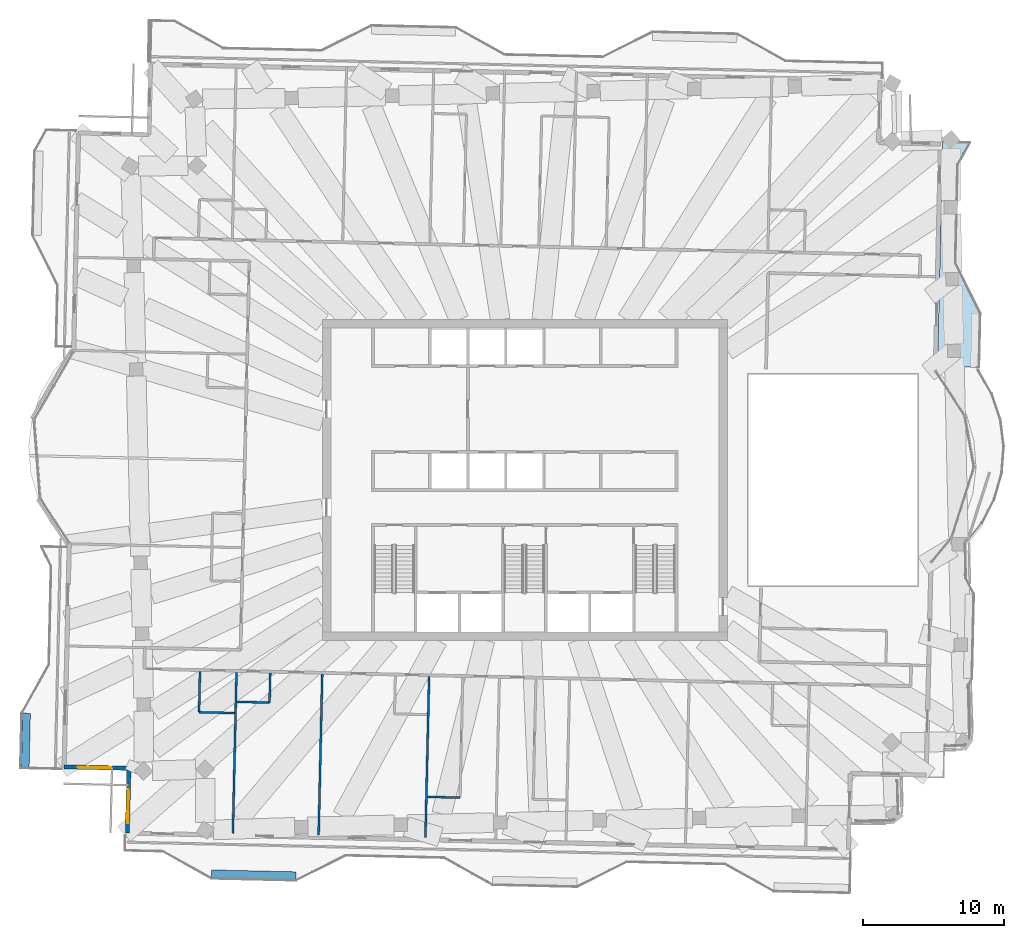
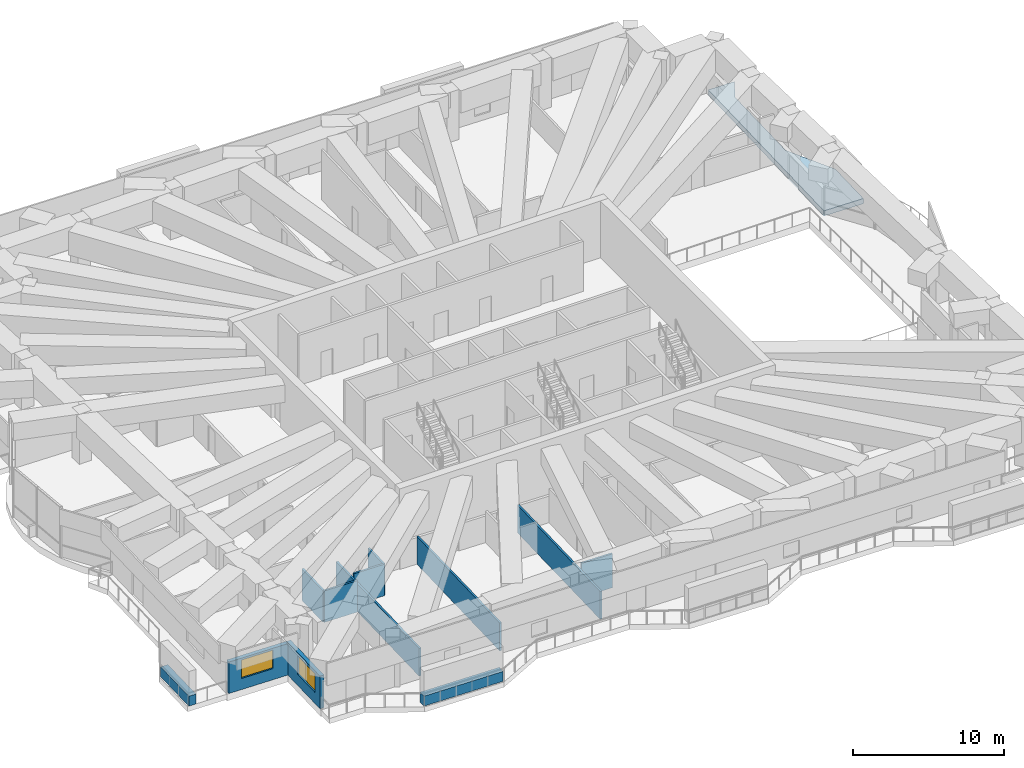
# One storey, part 8 of 20: 12 walls, 2 windows, 1 slab, 2 openings.
"""IFC4 building model written with IfcOpenShell, lengths in metres."""

from ifc_helpers import new_model, si_unit, direction, frame, frame_2d, origin, place, context, subcontext, project, spatial, polyline, rectangle, outline, extrude, material, layer, layer_set, type_object, element, fill, save


model = new_model("IFC4")

# Units and contexts
model_context = context("Model", 3, precision=1e-05, world=origin(), true_north=direction((0.0, 1.0)))
body_context = subcontext(model_context, "Body", "Model", "MODEL_VIEW")
ifc_project = project(units=[si_unit("LENGTHUNIT", "METRE"), si_unit("AREAUNIT", "SQUARE_METRE"), si_unit("VOLUMEUNIT", "CUBIC_METRE"), si_unit("PLANEANGLEUNIT", "RADIAN"), si_unit("MASSUNIT", "GRAM", prefix="KILO")], contexts=[model_context])

# Site, building, storey
site_placement = place(None, origin())
site = spatial("IfcSite", under=ifc_project, at=site_placement, CompositionType="ELEMENT")
building_placement = place(site_placement, origin())
building = spatial("IfcBuilding", under=site, at=building_placement, Name="Mangrove Gate Tower", CompositionType="ELEMENT")
storey_placement = place(building_placement, frame((0.0, 0.0, 301.5)))
storey = spatial("IfcBuildingStorey", under=building, at=storey_placement, Name="L77", CompositionType="ELEMENT", Elevation=301.5)

# Slab
ifc_material_1 = material(Name="Porcelain tile")
ifc_layer_1 = layer(ifc_material_1, 0.02001953125, Name="Tile finish")
ifc_material_2 = material(Name="Cement sand screed")
ifc_layer_2 = layer(ifc_material_2, 0.0400390625, Name="Screed laid to falls")
ifc_material_3 = material(Name="Bituminous waterproofing membrane")
ifc_layer_3 = layer(ifc_material_3, 0.00390625, Name="Waterproofing")
ifc_material_4 = material(Name="Concrete C40/50", Category="concrete")
ifc_layer_4 = layer(ifc_material_4, 0.340087890625, Name="Balcony structural slab")
ifc_material_5 = material(Name="Limestone", Category="masonry")
ifc_layer_5 = layer(ifc_material_5, 0.01611328125, Name="Soffit lining")
ifc_layer_set_1 = layer_set([ifc_layer_1, ifc_layer_2, ifc_layer_3, ifc_layer_4, ifc_layer_5], Name="Balcony slab 420 C40/50")
slab_type = type_object("IfcSlabType", Name="Balcony slab 420 C40/50", PredefinedType="FLOOR", material=ifc_layer_set_1)
slab_placement = place(storey_placement, frame((0.0, 0.0, -0.419921875)))
element("IfcSlab", 1, at=slab_placement, inside=storey, type_object=slab_type, Name="BALCONY L77 E1", PredefinedType="FLOOR", context=body_context, shape_type="SweptSolid", body=[
    extrude(outline(polyline([(32.343017578125, 8.007080078125), (32.430908203125, 11.881103515625), (30.660888671875, 15.422119140625), (30.820068359375, 22.419921875), (31.700927734375, 24.0), (29.716064453125, 24.044921875), (29.679931640625, 22.446044921875), (29.52099609375, 15.447021484375), (29.44189453125, 11.947998046875), (29.35400390625, 8.074951171875), (32.343017578125, 8.007080078125)])), origin(), (0.0, 0.0, 1.0), 0.419921875),
])

# Wall, opening, window
ifc_layer_6 = layer(ifc_material_5, 0.0400390625, Name="Limestone cladding")
ifc_material_6 = material(Name="Ventilated air gap")
ifc_layer_7 = layer(ifc_material_6, 0.0400390625, Name="Ventilated cavity")
ifc_material_7 = material(Name="Mineral wool insulation")
ifc_layer_8 = layer(ifc_material_7, 0.06005859375, Name="Insulation")
ifc_material_8 = material(Name="Breather membrane")
ifc_layer_9 = layer(ifc_material_8, 0.001953125, Name="Breather membrane")
ifc_material_9 = material(Name="Concrete C20/25 blockwork", Category="masonry")
ifc_layer_10 = layer(ifc_material_9, 0.14990234375, Name="Blockwork backing wall")
ifc_material_10 = material(Name="Gypsum plaster")
ifc_layer_11 = layer(ifc_material_10, 0.008056640625, Name="Internal plaster")
ifc_layer_set_2 = layer_set([ifc_layer_6, ifc_layer_7, ifc_layer_8, ifc_layer_9, ifc_layer_10, ifc_layer_11], Name="External wall 300 limestone cladding")
wall_type_1 = type_object("IfcWallType", Name="External wall 300 limestone cladding", PredefinedType="SOLIDWALL", material=ifc_layer_set_2)
wall_1_placement = place(storey_placement, frame((-32.758056640625, -20.39892578125, 0.0), z_axis=(0.0, 0.0, 1.0), x_axis=(0.999744404568, -0.02260808559, 0.0)))
wall_1 = element("IfcWall", 2, at=wall_1_placement, inside=storey, type_object=wall_type_1, Name="WALL-L77-S11", PredefinedType="SOLIDWALL", context=body_context, shape_type="SweptSolid", body=[
    extrude(rectangle(XDim=4.600341796875, YDim=0.300048828125, at=frame_2d((2.30029296875, 0.0))), origin(), (0.0, 0.0, 1.0), 2.550048828125),
])
opening_1_placement = place(wall_1_placement, frame((0.949951171875, 0.0, 0.89990234375)))
opening_1 = element("IfcOpeningElement", 3, at=opening_1_placement, cuts=wall_1, Name="Opening W2", PredefinedType="OPENING", context=body_context, shape_type="SweptSolid", body=[
    extrude(rectangle(XDim=2.39990234375, YDim=1.5, at=frame_2d((1.199951171875, 0.75))), frame((0.0, 0.159912109375, 0.0), z_axis=(0.0, -1.0, 0.0), x_axis=(1.0, 0.0, 0.0)), (0.0, 0.0, 1.0), 0.320068359375),
])
ifc_material_11 = material(Name="Aluminium frame with double-glazed low-e glass", Category="aluminium")
window_type = type_object("IfcWindowType", Name="Corner room window 2400x1500", PartitioningType="DOUBLE_PANEL_VERTICAL", PredefinedType="WINDOW", material=ifc_material_11)
window_1_placement = place(opening_1_placement, origin())
window_1 = element("IfcWindow", 4, at=window_1_placement, inside=storey, type_object=window_type, Name="WIN-L77-S11-1", OverallHeight=1.5, OverallWidth=2.39990234375, PartitioningType="DOUBLE_PANEL_VERTICAL", PredefinedType="WINDOW", context=body_context, shape_type="SweptSolid", body=[
    extrude(rectangle(XDim=2.39990234375, YDim=1.5, at=frame_2d((1.199951171875, 0.75))), frame((0.0, 0.030029296875, 0.0), z_axis=(0.0, -1.0, 0.0), x_axis=(1.0, 0.0, 0.0)), (0.0, 0.0, 1.0), 0.06005859375),
])
fill(opening_1, window_1)

wall_2_placement = place(storey_placement, frame((-28.158935546875, -20.5029296875, 0.0), z_axis=(0.0, 0.0, 1.0), x_axis=(-0.022820258049, -0.999739584003, 0.0)))
wall_2 = element("IfcWall", 5, at=wall_2_placement, inside=storey, type_object=wall_type_1, Name="WALL-L77-W12", PredefinedType="SOLIDWALL", context=body_context, shape_type="SweptSolid", body=[
    extrude(rectangle(XDim=4.600341796875, YDim=0.300048828125, at=frame_2d((2.30029296875, 0.0))), origin(), (0.0, 0.0, 1.0), 2.64990234375),
])
opening_2_placement = place(wall_2_placement, frame((1.4951171875, 0.0, 0.89990234375)))
opening_2 = element("IfcOpeningElement", 6, at=opening_2_placement, cuts=wall_2, Name="Opening W2", PredefinedType="OPENING", context=body_context, shape_type="SweptSolid", body=[
    extrude(rectangle(XDim=2.39990234375, YDim=1.5, at=frame_2d((1.199951171875, 0.75))), frame((0.0, 0.159912109375, 0.0), z_axis=(0.0, -1.0, 0.0), x_axis=(1.0, 0.0, 0.0)), (0.0, 0.0, 1.0), 0.320068359375),
])
window_2_placement = place(opening_2_placement, origin())
window_2 = element("IfcWindow", 7, at=window_2_placement, inside=storey, type_object=window_type, Name="WIN-L77-W12-1", OverallHeight=1.5, OverallWidth=2.39990234375, PartitioningType="DOUBLE_PANEL_VERTICAL", PredefinedType="WINDOW", context=body_context, shape_type="SweptSolid", body=[
    extrude(rectangle(XDim=2.39990234375, YDim=1.5, at=frame_2d((1.199951171875, 0.75))), frame((0.0, 0.030029296875, 0.0), z_axis=(0.0, -1.0, 0.0), x_axis=(1.0, 0.0, 0.0)), (0.0, 0.0, 1.0), 0.06005859375),
])
fill(opening_2, window_2)

# Walls
ifc_material_12 = material(Name="Gypsum board on steel stud, EI 60", Category="steel")
ifc_layer_12 = layer(ifc_material_12, 0.14990234375)
ifc_layer_set_3 = layer_set([ifc_layer_12], Name="Party wall 150 EI 60")
wall_type_2 = type_object("IfcWallType", Name="Party wall 150 EI 60", PredefinedType="PARTITIONING", material=ifc_layer_set_3)
wall_3_placement = place(storey_placement, frame((-20.761962890625, -25.1220703125, 0.0), z_axis=(0.0, 0.0, 1.0), x_axis=(0.022623082162, 0.999744065325, 0.0)))
element("IfcWall", 8, at=wall_3_placement, inside=storey, type_object=wall_type_2, Name="WALL-L77-001", PredefinedType="PARTITIONING", context=body_context, shape_type="SweptSolid", body=[
    extrude(rectangle(XDim=11.449951171875, YDim=0.14990234375, at=frame_2d((5.72509765625, 0.0))), origin(), (0.0, 0.0, 1.0), 2.25),
])
wall_4_placement = place(storey_placement, frame((-14.6640625, -25.260986328125, 0.0), z_axis=(0.0, 0.0, 1.0), x_axis=(0.022706391805, 0.999742176649, 0.0)))
element("IfcWall", 9, at=wall_4_placement, inside=storey, type_object=wall_type_2, Name="WALL-L77-002", PredefinedType="PARTITIONING", context=body_context, shape_type="SweptSolid", body=[
    extrude(rectangle(XDim=11.450927734375, YDim=0.14990234375, at=frame_2d((5.7255859375, 0.0))), origin(), (0.0, 0.0, 1.0), 2.25),
])
wall_5_placement = place(storey_placement, frame((-7.06591796875, -25.43310546875, 0.0), z_axis=(0.0, 0.0, 1.0), x_axis=(0.022708327922, 0.999742132674, 0.0)))
element("IfcWall", 10, at=wall_5_placement, inside=storey, type_object=wall_type_2, Name="WALL-L77-003", PredefinedType="PARTITIONING", context=body_context, shape_type="SweptSolid", body=[
    extrude(rectangle(XDim=11.449951171875, YDim=0.14990234375, at=frame_2d((5.72509765625, 0.0))), origin(), (0.0, 0.0, 1.0), 2.25),
])
wall_6_placement = place(storey_placement, frame((-6.925048828125, -22.534912109375, 0.0), z_axis=(0.0, 0.0, 1.0), x_axis=(0.999740260747, -0.02279059109, 0.0)))
element("IfcWall", 11, at=wall_6_placement, inside=storey, type_object=wall_type_2, Name="WALL-L77-008", PredefinedType="PARTITIONING", context=body_context, shape_type="SweptSolid", body=[
    extrude(rectangle(XDim=2.324462890625, YDim=0.14990234375, at=frame_2d((1.162109375, 0.0))), origin(), (0.0, 0.0, 1.0), 2.75),
])
wall_7_placement = place(storey_placement, frame((-23.16796875, -16.514892578125, 0.0), z_axis=(0.0, 0.0, 1.0), x_axis=(0.999735307039, -0.023006865507, 0.0)))
element("IfcWall", 12, at=wall_7_placement, inside=storey, type_object=wall_type_2, Name="WALL-L77-012", PredefinedType="PARTITIONING", context=body_context, shape_type="SweptSolid", body=[
    extrude(rectangle(XDim=2.525634765625, YDim=0.14990234375, at=frame_2d((1.2626953125, 0.0))), origin(), (0.0, 0.0, 1.0), 2.550048828125),
])
wall_8_placement = place(storey_placement, frame((-23.16796875, -16.514892578125, 0.0), z_axis=(0.0, 0.0, 1.0), x_axis=(0.022732880677, 0.999741574676, 0.0)))
element("IfcWall", 13, at=wall_8_placement, inside=storey, type_object=wall_type_2, Name="WALL-L77-013", PredefinedType="PARTITIONING", context=body_context, shape_type="SweptSolid", body=[
    extrude(rectangle(XDim=2.899658203125, YDim=0.14990234375, at=frame_2d((1.44970703125, 0.0))), origin(), (0.0, 0.0, 1.0), 2.550048828125),
])
wall_9_placement = place(storey_placement, frame((-20.47509765625, -15.77587890625, 0.0), z_axis=(0.0, 0.0, 1.0), x_axis=(0.99973791731, -0.022893158191, 0.0)))
element("IfcWall", 14, at=wall_9_placement, inside=storey, type_object=wall_type_2, Name="WALL-L77-018", PredefinedType="PARTITIONING", context=body_context, shape_type="SweptSolid", body=[
    extrude(rectangle(XDim=2.32470703125, YDim=0.14990234375, at=frame_2d((1.162353515625, 0.0))), origin(), (0.0, 0.0, 1.0), 2.550048828125),
])
wall_10_placement = place(storey_placement, frame((-18.15087890625, -15.8291015625, 0.0), z_axis=(0.0, 0.0, 1.0), x_axis=(0.02279007832, 0.999740272436, 0.0)))
element("IfcWall", 15, at=wall_10_placement, inside=storey, type_object=wall_type_2, Name="WALL-L77-019", PredefinedType="PARTITIONING", context=body_context, shape_type="SweptSolid", body=[
    extrude(rectangle(XDim=2.099609375, YDim=0.14990234375, at=frame_2d((1.0498046875, 0.0))), origin(), (0.0, 0.0, 1.0), 2.550048828125),
])
ifc_material_13 = material(Name="Concrete C32/40", Category="concrete")
ifc_layer_13 = layer(ifc_material_13, 0.199951171875, Name="Planter trough wall")
ifc_layer_14 = layer(ifc_material_3, 0.0048828125, Name="Waterproofing")
ifc_material_14 = material(Name="Drainage board and gravel")
ifc_layer_15 = layer(ifc_material_14, 0.044921875, Name="Drainage layer")
ifc_material_15 = material(Name="Planting soil")
ifc_layer_16 = layer(ifc_material_15, 0.300048828125, Name="Growing medium")
ifc_layer_set_4 = layer_set([ifc_layer_13, ifc_layer_14, ifc_layer_15, ifc_layer_16], Name="Planter wall 550 C32/40")
wall_type_3 = type_object("IfcWallType", Name="Planter wall 550 C32/40", PredefinedType="USERDEFINED", material=ifc_layer_set_4)
wall_11_placement = place(storey_placement, frame((-35.52587890625, -20.486083984375, 0.0), z_axis=(0.0, 0.0, 1.0), x_axis=(0.022785392151, 0.999740379251, 0.0)))
element("IfcWall", 16, at=wall_11_placement, inside=storey, type_object=wall_type_3, Name="PLANTER L77 W1.1", ObjectType="PLANTER", PredefinedType="USERDEFINED", context=body_context, shape_type="SweptSolid", body=[
    extrude(rectangle(XDim=3.900146484375, YDim=0.550048828125, at=frame_2d((1.9501953125, 0.0))), origin(), (0.0, 0.0, 1.0), 0.800048828125),
])
wall_12_placement = place(storey_placement, frame((-22.278076171875, -28.0029296875, 0.0), z_axis=(0.0, 0.0, 1.0), x_axis=(0.999739392852, -0.022828630714, 0.0)))
element("IfcWall", 17, at=wall_12_placement, inside=storey, type_object=wall_type_3, Name="PLANTER L77 S0.1", ObjectType="PLANTER", PredefinedType="USERDEFINED", context=body_context, shape_type="SweptSolid", body=[
    extrude(rectangle(XDim=5.99951171875, YDim=0.550048828125, at=frame_2d((2.999755859375, 0.0))), origin(), (0.0, 0.0, 1.0), 0.800048828125),
])

save(model, "model.ifc")
